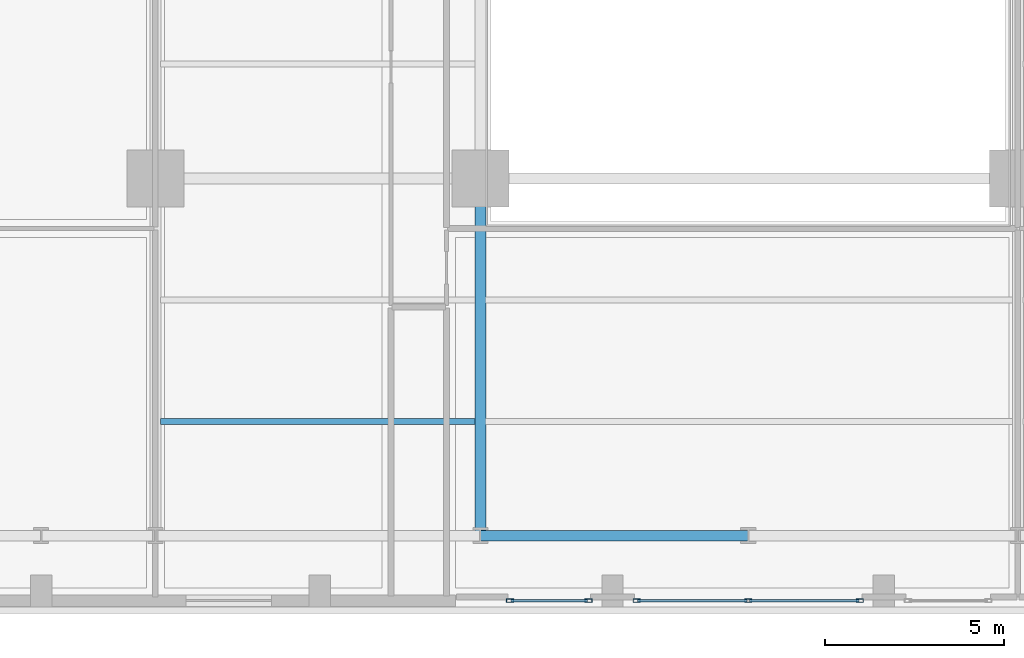
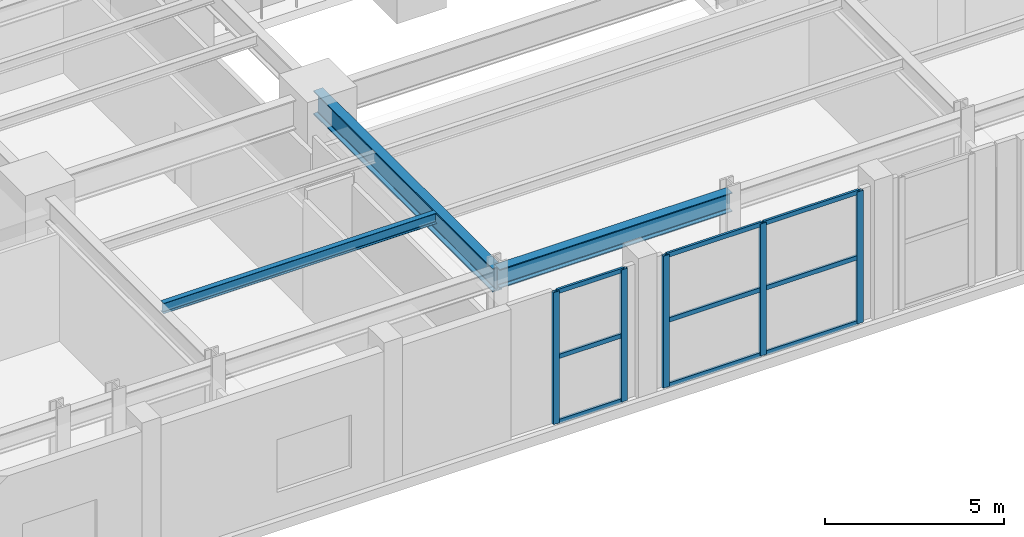
# One storey, part 2 of 16: 14 members, 3 beams, 2 elements without a shape of their own.
"""IFC4 building model written with IfcOpenShell, lengths in metres."""

from ifc_helpers import new_model, si_unit, direction, frame, origin, origin_2d, place, context, subcontext, project, spatial, hollow_rectangle, i_section, extrude, material, layer, layer_set, material_profile, profile_set, type_object, element, aggregate, save


model = new_model("IFC4")

# Units and contexts
model_context = context("Model", 3, precision=1e-05, world=origin(), true_north=direction((0.0, 1.0)))
body_context = subcontext(model_context, "Body", "Model", "MODEL_VIEW")
ifc_project = project(units=[si_unit("LENGTHUNIT", "METRE"), si_unit("AREAUNIT", "SQUARE_METRE"), si_unit("VOLUMEUNIT", "CUBIC_METRE"), si_unit("PLANEANGLEUNIT", "RADIAN"), si_unit("MASSUNIT", "GRAM", prefix="KILO")], contexts=[model_context])

# Site, building, storey
site_placement = place(None, origin())
site = spatial("IfcSite", under=ifc_project, at=site_placement, CompositionType="ELEMENT")
building_placement = place(site_placement, origin())
building = spatial("IfcBuilding", under=site, at=building_placement, Name="Zarnavel Station Tower", CompositionType="ELEMENT")
storey_placement = place(building_placement, frame((0.0, 0.0, 19.39990234375)))
storey = spatial("IfcBuildingStorey", under=building, at=storey_placement, Name="L05", CompositionType="ELEMENT", Elevation=19.39990234375)

# Curtain wall, members
ifc_material_1 = material(Name="Aluminium Dark Anodised and Solar-Control Glass", Category="aluminium")
ifc_layer = layer(ifc_material_1, 0.179931640625)
ifc_layer_set = layer_set([ifc_layer], Name="CWS1")
curtain_wall_type = type_object("IfcCurtainWallType", Name="CWS1", PredefinedType="NOTDEFINED", material=ifc_layer_set)
curtain_wall_1_placement = place(storey_placement, origin())
curtain_wall_1 = element("IfcCurtainWall", 1, at=curtain_wall_1_placement, inside=storey, type_object=curtain_wall_type, Name="L05 Curtain Wall CWS1-L05-S-S1", PredefinedType="NOTDEFINED")
ifc_material_2 = material(Name="Steel S355J2 (Black Fluoropolymer Coated)", Category="steel")
ifc_material_profile_1 = material_profile(ifc_material_2, hollow_rectangle(XDim=0.10009765625, YDim=0.199951171875, WallThickness=0.008056640625, at=origin_2d()), Name="RHS200x100x8")
ifc_profile_set_1 = profile_set([ifc_material_profile_1], Name="Steel S355J2 (Black Fluoropolymer Coated)")
member_type_1 = type_object("IfcMemberType", Name="CWS1_MUL", PredefinedType="MULLION", material=ifc_profile_set_1)
member_1_placement = place(storey_placement, frame((22.1298828125, 3.780029296875, 0.0), z_axis=(0.0, 0.0, 1.0), x_axis=(0.0, 1.0, 0.0)))
member_1 = element("IfcMember", 2, at=member_1_placement, type_object=member_type_1, Name="CW1 mullion 1", PredefinedType="MULLION", context=body_context, shape_type="SweptSolid", body=[
    extrude(hollow_rectangle(XDim=0.10009765625, YDim=0.199951171875, WallThickness=0.008056640625, at=origin_2d()), origin(), (0.0, 0.0, 1.0), 4.5),
])
member_2_placement = place(storey_placement, frame((24.325927734375, 3.780029296875, 0.0), z_axis=(0.0, 0.0, 1.0), x_axis=(0.0, 1.0, 0.0)))
member_2 = element("IfcMember", 3, at=member_2_placement, type_object=member_type_1, Name="CW1 mullion 2", PredefinedType="MULLION", context=body_context, shape_type="SweptSolid", body=[
    extrude(hollow_rectangle(XDim=0.10009765625, YDim=0.199951171875, WallThickness=0.008056640625, at=origin_2d()), origin(), (0.0, 0.0, 1.0), 4.5),
])

curtain_wall_2_placement = place(storey_placement, origin())
curtain_wall_2 = element("IfcCurtainWall", 4, at=curtain_wall_2_placement, inside=storey, type_object=curtain_wall_type, Name="L05 Curtain Wall CWS1-L05-S-S2", PredefinedType="NOTDEFINED")
member_3_placement = place(storey_placement, frame((25.674072265625, 3.780029296875, 0.0), z_axis=(0.0, 0.0, 1.0), x_axis=(0.0, 1.0, 0.0)))
member_3 = element("IfcMember", 5, at=member_3_placement, type_object=member_type_1, Name="CW1 mullion 1", PredefinedType="MULLION", context=body_context, shape_type="SweptSolid", body=[
    extrude(hollow_rectangle(XDim=0.10009765625, YDim=0.199951171875, WallThickness=0.008056640625, at=origin_2d()), origin(), (0.0, 0.0, 1.0), 4.5),
])
member_4_placement = place(storey_placement, frame((28.800048828125, 3.780029296875, 0.0), z_axis=(0.0, 0.0, 1.0), x_axis=(0.0, 1.0, 0.0)))
member_4 = element("IfcMember", 6, at=member_4_placement, type_object=member_type_1, Name="CW1 mullion 2", PredefinedType="MULLION", context=body_context, shape_type="SweptSolid", body=[
    extrude(hollow_rectangle(XDim=0.10009765625, YDim=0.199951171875, WallThickness=0.008056640625, at=origin_2d()), origin(), (0.0, 0.0, 1.0), 4.5),
])
member_5_placement = place(storey_placement, frame((31.926025390625, 3.780029296875, 0.0), z_axis=(0.0, 0.0, 1.0), x_axis=(0.0, 1.0, 0.0)))
member_5 = element("IfcMember", 7, at=member_5_placement, type_object=member_type_1, Name="CW1 mullion 3", PredefinedType="MULLION", context=body_context, shape_type="SweptSolid", body=[
    extrude(hollow_rectangle(XDim=0.10009765625, YDim=0.199951171875, WallThickness=0.008056640625, at=origin_2d()), origin(), (0.0, 0.0, 1.0), 4.5),
])

# Member
ifc_material_3 = material(Name="Steel S355J2 (Black Fluoropolymer Coated)", Category="steel")
ifc_material_profile_2 = material_profile(ifc_material_3, hollow_rectangle(XDim=0.074951171875, YDim=0.14990234375, WallThickness=0.00634765625, at=origin_2d()), Name="RHS150x75x6.3")
ifc_profile_set_2 = profile_set([ifc_material_profile_2], Name="Steel S355J2 (Black Fluoropolymer Coated)")
member_type_2 = type_object("IfcMemberType", Name="CWS1_TRN", PredefinedType="USERDEFINED", material=ifc_profile_set_2)
member_6_placement = place(storey_placement, frame((22.159912109375, 3.780029296875, 0.030029296875), z_axis=(1.0, 0.0, 0.0), x_axis=(0.0, 1.0, 0.0)))
member_6 = element("IfcMember", 8, at=member_6_placement, type_object=member_type_2, Name="CW1 transom 1.1", ObjectType="TRANSOM", PredefinedType="USERDEFINED", context=body_context, shape_type="SweptSolid", body=[
    extrude(hollow_rectangle(XDim=0.074951171875, YDim=0.14990234375, WallThickness=0.00634765625, at=origin_2d()), origin(), (0.0, 0.0, 1.0), 2.135986328125),
])

member_7_placement = place(storey_placement, frame((22.159912109375, 3.780029296875, 2.25), z_axis=(1.0, 0.0, 0.0), x_axis=(0.0, 1.0, 0.0)))
member_7 = element("IfcMember", 9, at=member_7_placement, type_object=member_type_2, Name="CW1 transom 1.2", ObjectType="TRANSOM", PredefinedType="USERDEFINED", context=body_context, shape_type="SweptSolid", body=[
    extrude(hollow_rectangle(XDim=0.074951171875, YDim=0.14990234375, WallThickness=0.00634765625, at=origin_2d()), origin(), (0.0, 0.0, 1.0), 2.135986328125),
])

member_8_placement = place(storey_placement, frame((22.159912109375, 3.780029296875, 4.47021484375), z_axis=(1.0, 0.0, 0.0), x_axis=(0.0, 1.0, 0.0)))
member_8 = element("IfcMember", 10, at=member_8_placement, type_object=member_type_2, Name="CW1 transom 1.3", ObjectType="TRANSOM", PredefinedType="USERDEFINED", context=body_context, shape_type="SweptSolid", body=[
    extrude(hollow_rectangle(XDim=0.074951171875, YDim=0.14990234375, WallThickness=0.00634765625, at=origin_2d()), origin(), (0.0, 0.0, 1.0), 2.135986328125),
])

aggregate(curtain_wall_1, [member_1, member_2, member_6, member_7, member_8])

member_9_placement = place(storey_placement, frame((25.7041015625, 3.780029296875, 0.030029296875), z_axis=(1.0, 0.0, 0.0), x_axis=(0.0, 1.0, 0.0)))
member_9 = element("IfcMember", 11, at=member_9_placement, type_object=member_type_2, Name="CW1 transom 1.1", ObjectType="TRANSOM", PredefinedType="USERDEFINED", context=body_context, shape_type="SweptSolid", body=[
    extrude(hollow_rectangle(XDim=0.074951171875, YDim=0.14990234375, WallThickness=0.00634765625, at=origin_2d()), origin(), (0.0, 0.0, 1.0), 3.06591796875),
])

member_10_placement = place(storey_placement, frame((25.7041015625, 3.780029296875, 2.25), z_axis=(1.0, 0.0, 0.0), x_axis=(0.0, 1.0, 0.0)))
member_10 = element("IfcMember", 12, at=member_10_placement, type_object=member_type_2, Name="CW1 transom 1.2", ObjectType="TRANSOM", PredefinedType="USERDEFINED", context=body_context, shape_type="SweptSolid", body=[
    extrude(hollow_rectangle(XDim=0.074951171875, YDim=0.14990234375, WallThickness=0.00634765625, at=origin_2d()), origin(), (0.0, 0.0, 1.0), 3.06591796875),
])

member_11_placement = place(storey_placement, frame((25.7041015625, 3.780029296875, 4.47021484375), z_axis=(1.0, 0.0, 0.0), x_axis=(0.0, 1.0, 0.0)))
member_11 = element("IfcMember", 13, at=member_11_placement, type_object=member_type_2, Name="CW1 transom 1.3", ObjectType="TRANSOM", PredefinedType="USERDEFINED", context=body_context, shape_type="SweptSolid", body=[
    extrude(hollow_rectangle(XDim=0.074951171875, YDim=0.14990234375, WallThickness=0.00634765625, at=origin_2d()), origin(), (0.0, 0.0, 1.0), 3.06591796875),
])

member_12_placement = place(storey_placement, frame((28.830078125, 3.780029296875, 0.030029296875), z_axis=(1.0, 0.0, 0.0), x_axis=(0.0, 1.0, 0.0)))
member_12 = element("IfcMember", 14, at=member_12_placement, type_object=member_type_2, Name="CW1 transom 2.1", ObjectType="TRANSOM", PredefinedType="USERDEFINED", context=body_context, shape_type="SweptSolid", body=[
    extrude(hollow_rectangle(XDim=0.074951171875, YDim=0.14990234375, WallThickness=0.00634765625, at=origin_2d()), origin(), (0.0, 0.0, 1.0), 3.06591796875),
])

member_13_placement = place(storey_placement, frame((28.830078125, 3.780029296875, 2.25), z_axis=(1.0, 0.0, 0.0), x_axis=(0.0, 1.0, 0.0)))
member_13 = element("IfcMember", 15, at=member_13_placement, type_object=member_type_2, Name="CW1 transom 2.2", ObjectType="TRANSOM", PredefinedType="USERDEFINED", context=body_context, shape_type="SweptSolid", body=[
    extrude(hollow_rectangle(XDim=0.074951171875, YDim=0.14990234375, WallThickness=0.00634765625, at=origin_2d()), origin(), (0.0, 0.0, 1.0), 3.06591796875),
])

member_14_placement = place(storey_placement, frame((28.830078125, 3.780029296875, 4.47021484375), z_axis=(1.0, 0.0, 0.0), x_axis=(0.0, 1.0, 0.0)))
member_14 = element("IfcMember", 16, at=member_14_placement, type_object=member_type_2, Name="CW1 transom 2.3", ObjectType="TRANSOM", PredefinedType="USERDEFINED", context=body_context, shape_type="SweptSolid", body=[
    extrude(hollow_rectangle(XDim=0.074951171875, YDim=0.14990234375, WallThickness=0.00634765625, at=origin_2d()), origin(), (0.0, 0.0, 1.0), 3.06591796875),
])

aggregate(curtain_wall_2, [member_3, member_4, member_5, member_9, member_10, member_11, member_12, member_13, member_14])

# Beams
ifc_material_4 = material(Name="Steel S355J2", Category="steel")
ifc_material_profile_3 = material_profile(ifc_material_4, i_section(OverallWidth=0.300048828125, OverallDepth=0.64990234375, WebThickness=0.01611328125, FlangeThickness=0.031005859375, FilletRadius=0.027099609375, at=origin_2d()), Name="HEB650")
ifc_profile_set_3 = profile_set([ifc_material_profile_3], Name="Steel S355J2")
beam_type_1 = type_object("IfcBeamType", Name="FG_HEB650", PredefinedType="USERDEFINED", material=ifc_profile_set_3)
beam_1_placement = place(storey_placement, frame((21.300048828125, 5.60009765625, 4.175048828125), z_axis=(1.0, 0.0, 0.0), x_axis=(0.0, 1.0, 0.0)))
element("IfcBeam", 17, at=beam_1_placement, inside=storey, type_object=beam_type_1, Name="L05 EW Frame Girder 1-5", ObjectType="GIRDER", PredefinedType="USERDEFINED", context=body_context, shape_type="SweptSolid", body=[
    extrude(i_section(OverallWidth=0.300048828125, OverallDepth=0.64990234375, WebThickness=0.01611328125, FlangeThickness=0.031005859375, FilletRadius=0.027099609375, at=origin_2d()), origin(), (0.0, 0.0, 1.0), 7.5),
])
ifc_material_5 = material(Name="Steel S460M", Category="steel")
ifc_material_profile_4 = material_profile(ifc_material_5, i_section(OverallWidth=0.302978515625, OverallDepth=0.81396484375, WebThickness=0.02099609375, FlangeThickness=0.0400390625, FilletRadius=0.030029296875, at=origin_2d()), Name="HEM800")
ifc_profile_set_4 = profile_set([ifc_material_profile_4], Name="Steel S460M")
beam_type_2 = type_object("IfcBeamType", Name="FG_HEM800", PredefinedType="USERDEFINED", material=ifc_profile_set_4)
beam_2_placement = place(storey_placement, frame((21.300048828125, 5.60009765625, 4.093017578125), z_axis=(0.0, 1.0, 0.0), x_axis=(-1.0, 0.0, 0.0)))
element("IfcBeam", 18, at=beam_2_placement, inside=storey, type_object=beam_type_2, Name="L05 NS Girder South 2", ObjectType="GIRDER", PredefinedType="USERDEFINED", context=body_context, shape_type="SweptSolid", body=[
    extrude(i_section(OverallWidth=0.302978515625, OverallDepth=0.81396484375, WebThickness=0.02099609375, FlangeThickness=0.0400390625, FilletRadius=0.030029296875, at=origin_2d()), origin(), (0.0, 0.0, 1.0), 10.0),
])
ifc_material_6 = material(Name="Steel S355J2", Category="steel")
ifc_material_profile_5 = material_profile(ifc_material_6, i_section(OverallWidth=0.169921875, OverallDepth=0.360107421875, WebThickness=0.008056640625, FlangeThickness=0.0126953125, FilletRadius=0.01806640625, at=origin_2d()), Name="IPE360")
ifc_profile_set_5 = profile_set([ifc_material_profile_5], Name="Steel S355J2")
beam_type_3 = type_object("IfcBeamType", Name="FJ_IPE360", PredefinedType="JOIST", material=ifc_profile_set_5)
beam_3_placement = place(storey_placement, frame((12.344970703125, 8.800048828125, 4.320068359375), z_axis=(1.0, 0.0, 0.0), x_axis=(0.0, 1.0, 0.0)))
element("IfcBeam", 19, at=beam_3_placement, inside=storey, type_object=beam_type_3, Name="L05 Floor Joist W1", PredefinedType="JOIST", context=body_context, shape_type="SweptSolid", body=[
    extrude(i_section(OverallWidth=0.169921875, OverallDepth=0.360107421875, WebThickness=0.008056640625, FlangeThickness=0.0126953125, FilletRadius=0.01806640625, at=origin_2d()), origin(), (0.0, 0.0, 1.0), 8.81005859375),
])

save(model, "model.ifc")
